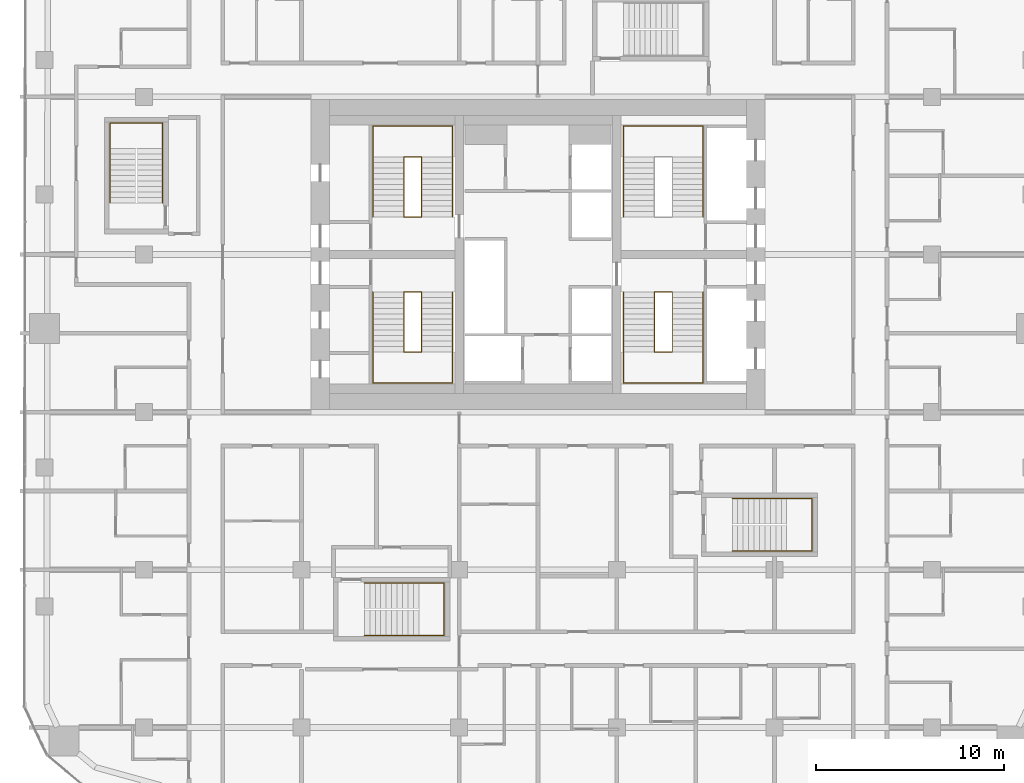
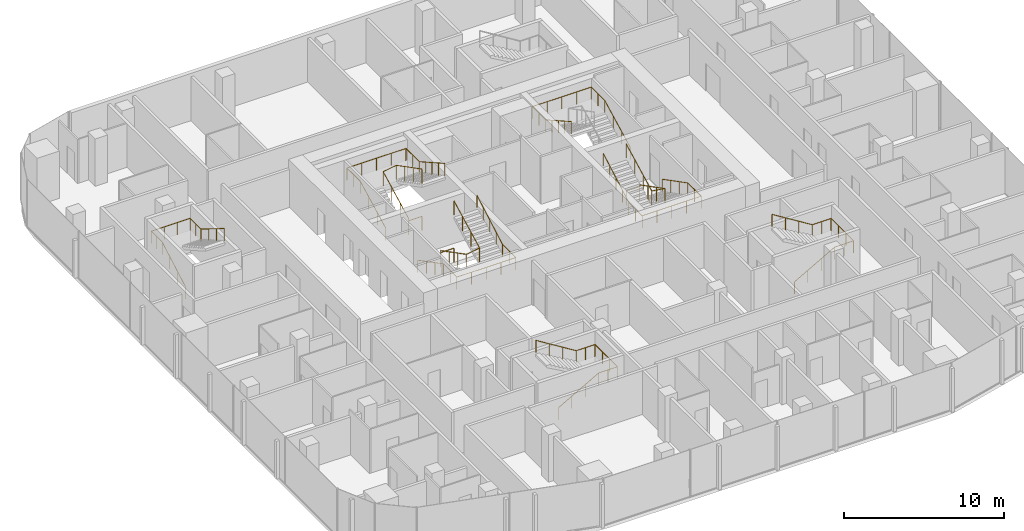
# One storey, part 22 of 23: 10 railings.
"""IFC4 building model written with IfcOpenShell, lengths in metres."""

from ifc_helpers import new_model, si_unit, direction, frame, origin, origin_2d, place, context, subcontext, project, spatial, circle, extrude, material, type_object, element, save


model = new_model("IFC4")

# Units and contexts
model_context = context("Model", 3, precision=1e-05, world=origin(), true_north=direction((0.0, 1.0)))
body_context = subcontext(model_context, "Body", "Model", "MODEL_VIEW")
ifc_project = project(units=[si_unit("LENGTHUNIT", "METRE"), si_unit("AREAUNIT", "SQUARE_METRE"), si_unit("VOLUMEUNIT", "CUBIC_METRE"), si_unit("PLANEANGLEUNIT", "RADIAN"), si_unit("MASSUNIT", "GRAM", prefix="KILO")], contexts=[model_context])

# Site, building, storey
site_placement = place(None, origin())
site = spatial("IfcSite", under=ifc_project, at=site_placement, CompositionType="ELEMENT")
building_placement = place(site_placement, origin())
building = spatial("IfcBuilding", under=site, at=building_placement, Name="Marenta Gate Hotel Tower", CompositionType="ELEMENT")
storey_placement = place(building_placement, frame((0.0, 0.0, 140.89990234375)))
storey = spatial("IfcBuildingStorey", under=building, at=storey_placement, Name="L32", CompositionType="ELEMENT", Elevation=140.89990234375)

# Railings
ifc_material_1 = material(Name="Stainless steel", Category="steel")
railing_type_1 = type_object("IfcRailingType", Name="Core stair handrail 950", PredefinedType="HANDRAIL", material=ifc_material_1)
railing_1_placement = place(storey_placement, frame((-8.800048828125, 6.39990234375, 0.150146484375)))
element("IfcRailing", 1, at=railing_1_placement, inside=storey, type_object=railing_type_1, Name="HR-950 L32-KR-ST1-1", PredefinedType="HANDRAIL", context=body_context, shape_type="SweptSolid", body=[
    extrude(circle(Radius=0.02392578125, at=origin_2d()), frame((0.0, 0.0, 0.92578125), z_axis=(0.0, -0.888225295554, 0.459408123936), x_axis=(1.0, 0.0, 0.0)), (0.0, 0.0, 1.0), 3.59130859375),
    extrude(circle(Radius=0.02392578125, at=origin_2d()), frame((0.0, -3.18994140625, 2.57568359375), z_axis=(0.0, -1.0, 0.0), x_axis=(1.0, 0.0, 0.0)), (0.0, 0.0, 1.0), 1.659912109375),
    extrude(circle(Radius=0.02392578125, at=origin_2d()), frame((0.0, -4.849853515625, 2.57568359375), z_axis=(1.0, 0.0, 0.0), x_axis=(0.0, 1.0, 0.0)), (0.0, 0.0, 1.0), 4.25),
    extrude(circle(Radius=0.02392578125, at=origin_2d()), frame((4.25, -4.849853515625, 2.57568359375), z_axis=(0.0, 1.0, 0.0), x_axis=(-1.0, 0.0, 0.0)), (0.0, 0.0, 1.0), 1.659912109375),
    extrude(circle(Radius=0.02392578125, at=origin_2d()), frame((4.25, -3.18994140625, 2.57568359375), z_axis=(0.0, 0.87090897868, 0.491444351738), x_axis=(-1.0, 0.0, 0.0)), (0.0, 0.0, 1.0), 3.662841796875),
    extrude(circle(Radius=0.02099609375, at=origin_2d()), origin(), (0.0, 0.0, 1.0), 0.90185546875),
    extrude(circle(Radius=0.02099609375, at=origin_2d()), frame((0.0, -1.063232421875, 0.550048828125)), (0.0, 0.0, 1.0), 0.90185546875),
    extrude(circle(Radius=0.02099609375, at=origin_2d()), frame((0.0, -2.126708984375, 1.099853515625)), (0.0, 0.0, 1.0), 0.90185546875),
    extrude(circle(Radius=0.02099609375, at=origin_2d()), frame((0.0, -3.18994140625, 1.64990234375)), (0.0, 0.0, 1.0), 0.90185546875),
    extrude(circle(Radius=0.02099609375, at=origin_2d()), frame((0.0, -4.02001953125, 1.64990234375)), (0.0, 0.0, 1.0), 0.90185546875),
    extrude(circle(Radius=0.02099609375, at=origin_2d()), frame((0.0, -4.849853515625, 1.64990234375)), (0.0, 0.0, 1.0), 0.90185546875),
    extrude(circle(Radius=0.02099609375, at=origin_2d()), frame((1.0625, -4.849853515625, 1.64990234375)), (0.0, 0.0, 1.0), 0.90185546875),
    extrude(circle(Radius=0.02099609375, at=origin_2d()), frame((2.125, -4.849853515625, 1.64990234375)), (0.0, 0.0, 1.0), 0.90185546875),
    extrude(circle(Radius=0.02099609375, at=origin_2d()), frame((3.1875, -4.849853515625, 1.64990234375)), (0.0, 0.0, 1.0), 0.90185546875),
    extrude(circle(Radius=0.02099609375, at=origin_2d()), frame((4.25, -4.849853515625, 1.64990234375)), (0.0, 0.0, 1.0), 0.90185546875),
    extrude(circle(Radius=0.02099609375, at=origin_2d()), frame((4.25, -4.02001953125, 1.64990234375)), (0.0, 0.0, 1.0), 0.90185546875),
    extrude(circle(Radius=0.02099609375, at=origin_2d()), frame((4.25, -3.18994140625, 1.64990234375)), (0.0, 0.0, 1.0), 0.90185546875),
    extrude(circle(Radius=0.02099609375, at=origin_2d()), frame((4.25, -2.392578125, 2.099853515625)), (0.0, 0.0, 1.0), 0.90185546875),
    extrude(circle(Radius=0.02099609375, at=origin_2d()), frame((4.25, -1.594970703125, 2.5498046875)), (0.0, 0.0, 1.0), 0.90185546875),
    extrude(circle(Radius=0.02099609375, at=origin_2d()), frame((4.25, -0.79736328125, 3.0)), (0.0, 0.0, 1.0), 0.90185546875),
    extrude(circle(Radius=0.02099609375, at=origin_2d()), frame((4.25, 0.0, 3.449951171875)), (0.0, 0.0, 1.0), 0.90185546875),
])
railing_2_placement = place(storey_placement, frame((-8.800048828125, 10.39990234375, 0.150146484375)))
element("IfcRailing", 2, at=railing_2_placement, inside=storey, type_object=railing_type_1, Name="HR-950 L32-KR-ST2-1", PredefinedType="HANDRAIL", context=body_context, shape_type="SweptSolid", body=[
    extrude(circle(Radius=0.02392578125, at=origin_2d()), frame((0.0, 0.0, 0.92578125), z_axis=(0.0, 0.888239641807, 0.459380385653), x_axis=(-1.0, 0.0, 0.0)), (0.0, 0.0, 1.0), 3.591552734375),
    extrude(circle(Radius=0.02392578125, at=origin_2d()), frame((0.0, 3.190185546875, 2.57568359375), z_axis=(0.0, 1.0, 0.0), x_axis=(-1.0, 0.0, 0.0)), (0.0, 0.0, 1.0), 1.659912109375),
    extrude(circle(Radius=0.02392578125, at=origin_2d()), frame((0.0, 4.85009765625, 2.57568359375), z_axis=(1.0, 0.0, 0.0), x_axis=(0.0, 1.0, 0.0)), (0.0, 0.0, 1.0), 4.25),
    extrude(circle(Radius=0.02392578125, at=origin_2d()), frame((4.25, 4.85009765625, 2.57568359375), z_axis=(0.0, -1.0, 0.0), x_axis=(1.0, 0.0, 0.0)), (0.0, 0.0, 1.0), 1.659912109375),
    extrude(circle(Radius=0.02392578125, at=origin_2d()), frame((4.25, 3.190185546875, 2.57568359375), z_axis=(0.0, -0.870925075533, 0.491415824742), x_axis=(1.0, 0.0, 0.0)), (0.0, 0.0, 1.0), 3.6630859375),
    extrude(circle(Radius=0.02099609375, at=origin_2d()), origin(), (0.0, 0.0, 1.0), 0.90185546875),
    extrude(circle(Radius=0.02099609375, at=origin_2d()), frame((0.0, 1.0634765625, 0.550048828125)), (0.0, 0.0, 1.0), 0.90185546875),
    extrude(circle(Radius=0.02099609375, at=origin_2d()), frame((0.0, 2.126708984375, 1.099853515625)), (0.0, 0.0, 1.0), 0.90185546875),
    extrude(circle(Radius=0.02099609375, at=origin_2d()), frame((0.0, 3.190185546875, 1.64990234375)), (0.0, 0.0, 1.0), 0.90185546875),
    extrude(circle(Radius=0.02099609375, at=origin_2d()), frame((0.0, 4.02001953125, 1.64990234375)), (0.0, 0.0, 1.0), 0.90185546875),
    extrude(circle(Radius=0.02099609375, at=origin_2d()), frame((0.0, 4.85009765625, 1.64990234375)), (0.0, 0.0, 1.0), 0.90185546875),
    extrude(circle(Radius=0.02099609375, at=origin_2d()), frame((1.0625, 4.85009765625, 1.64990234375)), (0.0, 0.0, 1.0), 0.90185546875),
    extrude(circle(Radius=0.02099609375, at=origin_2d()), frame((2.125, 4.85009765625, 1.64990234375)), (0.0, 0.0, 1.0), 0.90185546875),
    extrude(circle(Radius=0.02099609375, at=origin_2d()), frame((3.1875, 4.85009765625, 1.64990234375)), (0.0, 0.0, 1.0), 0.90185546875),
    extrude(circle(Radius=0.02099609375, at=origin_2d()), frame((4.25, 4.85009765625, 1.64990234375)), (0.0, 0.0, 1.0), 0.90185546875),
    extrude(circle(Radius=0.02099609375, at=origin_2d()), frame((4.25, 4.02001953125, 1.64990234375)), (0.0, 0.0, 1.0), 0.90185546875),
    extrude(circle(Radius=0.02099609375, at=origin_2d()), frame((4.25, 3.190185546875, 1.64990234375)), (0.0, 0.0, 1.0), 0.90185546875),
    extrude(circle(Radius=0.02099609375, at=origin_2d()), frame((4.25, 2.392578125, 2.099853515625)), (0.0, 0.0, 1.0), 0.90185546875),
    extrude(circle(Radius=0.02099609375, at=origin_2d()), frame((4.25, 1.59521484375, 2.5498046875)), (0.0, 0.0, 1.0), 0.90185546875),
    extrude(circle(Radius=0.02099609375, at=origin_2d()), frame((4.25, 0.797607421875, 3.0)), (0.0, 0.0, 1.0), 0.90185546875),
    extrude(circle(Radius=0.02099609375, at=origin_2d()), frame((4.25, 0.0, 3.449951171875)), (0.0, 0.0, 1.0), 0.90185546875),
])
railing_3_placement = place(storey_placement, frame((8.800048828125, 6.39990234375, 0.150146484375)))
element("IfcRailing", 3, at=railing_3_placement, inside=storey, type_object=railing_type_1, Name="HR-950 L32-KR-ST3-1", PredefinedType="HANDRAIL", context=body_context, shape_type="SweptSolid", body=[
    extrude(circle(Radius=0.02392578125, at=origin_2d()), frame((0.0, 0.0, 0.92578125), z_axis=(0.0, -0.888225295554, 0.459408123936), x_axis=(1.0, 0.0, 0.0)), (0.0, 0.0, 1.0), 3.59130859375),
    extrude(circle(Radius=0.02392578125, at=origin_2d()), frame((0.0, -3.18994140625, 2.57568359375), z_axis=(0.0, -1.0, 0.0), x_axis=(1.0, 0.0, 0.0)), (0.0, 0.0, 1.0), 1.659912109375),
    extrude(circle(Radius=0.02392578125, at=origin_2d()), frame((0.0, -4.849853515625, 2.57568359375), z_axis=(-1.0, 0.0, 0.0), x_axis=(0.0, -1.0, 0.0)), (0.0, 0.0, 1.0), 4.25),
    extrude(circle(Radius=0.02392578125, at=origin_2d()), frame((-4.25, -4.849853515625, 2.57568359375), z_axis=(0.0, 1.0, 0.0), x_axis=(-1.0, 0.0, 0.0)), (0.0, 0.0, 1.0), 1.659912109375),
    extrude(circle(Radius=0.02392578125, at=origin_2d()), frame((-4.25, -3.18994140625, 2.57568359375), z_axis=(0.0, 0.87090897868, 0.491444351738), x_axis=(-1.0, 0.0, 0.0)), (0.0, 0.0, 1.0), 3.662841796875),
    extrude(circle(Radius=0.02099609375, at=origin_2d()), origin(), (0.0, 0.0, 1.0), 0.90185546875),
    extrude(circle(Radius=0.02099609375, at=origin_2d()), frame((0.0, -1.063232421875, 0.550048828125)), (0.0, 0.0, 1.0), 0.90185546875),
    extrude(circle(Radius=0.02099609375, at=origin_2d()), frame((0.0, -2.126708984375, 1.099853515625)), (0.0, 0.0, 1.0), 0.90185546875),
    extrude(circle(Radius=0.02099609375, at=origin_2d()), frame((0.0, -3.18994140625, 1.64990234375)), (0.0, 0.0, 1.0), 0.90185546875),
    extrude(circle(Radius=0.02099609375, at=origin_2d()), frame((0.0, -4.02001953125, 1.64990234375)), (0.0, 0.0, 1.0), 0.90185546875),
    extrude(circle(Radius=0.02099609375, at=origin_2d()), frame((0.0, -4.849853515625, 1.64990234375)), (0.0, 0.0, 1.0), 0.90185546875),
    extrude(circle(Radius=0.02099609375, at=origin_2d()), frame((-1.0625, -4.849853515625, 1.64990234375)), (0.0, 0.0, 1.0), 0.90185546875),
    extrude(circle(Radius=0.02099609375, at=origin_2d()), frame((-2.125, -4.849853515625, 1.64990234375)), (0.0, 0.0, 1.0), 0.90185546875),
    extrude(circle(Radius=0.02099609375, at=origin_2d()), frame((-3.1875, -4.849853515625, 1.64990234375)), (0.0, 0.0, 1.0), 0.90185546875),
    extrude(circle(Radius=0.02099609375, at=origin_2d()), frame((-4.25, -4.849853515625, 1.64990234375)), (0.0, 0.0, 1.0), 0.90185546875),
    extrude(circle(Radius=0.02099609375, at=origin_2d()), frame((-4.25, -4.02001953125, 1.64990234375)), (0.0, 0.0, 1.0), 0.90185546875),
    extrude(circle(Radius=0.02099609375, at=origin_2d()), frame((-4.25, -3.18994140625, 1.64990234375)), (0.0, 0.0, 1.0), 0.90185546875),
    extrude(circle(Radius=0.02099609375, at=origin_2d()), frame((-4.25, -2.392578125, 2.099853515625)), (0.0, 0.0, 1.0), 0.90185546875),
    extrude(circle(Radius=0.02099609375, at=origin_2d()), frame((-4.25, -1.594970703125, 2.5498046875)), (0.0, 0.0, 1.0), 0.90185546875),
    extrude(circle(Radius=0.02099609375, at=origin_2d()), frame((-4.25, -0.79736328125, 3.0)), (0.0, 0.0, 1.0), 0.90185546875),
    extrude(circle(Radius=0.02099609375, at=origin_2d()), frame((-4.25, 0.0, 3.449951171875)), (0.0, 0.0, 1.0), 0.90185546875),
])
railing_4_placement = place(storey_placement, frame((8.800048828125, 10.39990234375, 0.150146484375)))
element("IfcRailing", 4, at=railing_4_placement, inside=storey, type_object=railing_type_1, Name="HR-950 L32-KR-ST4-1", PredefinedType="HANDRAIL", context=body_context, shape_type="SweptSolid", body=[
    extrude(circle(Radius=0.02392578125, at=origin_2d()), frame((0.0, 0.0, 0.92578125), z_axis=(0.0, 0.888239641807, 0.459380385653), x_axis=(-1.0, 0.0, 0.0)), (0.0, 0.0, 1.0), 3.591552734375),
    extrude(circle(Radius=0.02392578125, at=origin_2d()), frame((0.0, 3.190185546875, 2.57568359375), z_axis=(0.0, 1.0, 0.0), x_axis=(-1.0, 0.0, 0.0)), (0.0, 0.0, 1.0), 1.659912109375),
    extrude(circle(Radius=0.02392578125, at=origin_2d()), frame((0.0, 4.85009765625, 2.57568359375), z_axis=(-1.0, 0.0, 0.0), x_axis=(0.0, -1.0, 0.0)), (0.0, 0.0, 1.0), 4.25),
    extrude(circle(Radius=0.02392578125, at=origin_2d()), frame((-4.25, 4.85009765625, 2.57568359375), z_axis=(0.0, -1.0, 0.0), x_axis=(1.0, 0.0, 0.0)), (0.0, 0.0, 1.0), 1.659912109375),
    extrude(circle(Radius=0.02392578125, at=origin_2d()), frame((-4.25, 3.190185546875, 2.57568359375), z_axis=(0.0, -0.870925075533, 0.491415824742), x_axis=(1.0, 0.0, 0.0)), (0.0, 0.0, 1.0), 3.6630859375),
    extrude(circle(Radius=0.02099609375, at=origin_2d()), origin(), (0.0, 0.0, 1.0), 0.90185546875),
    extrude(circle(Radius=0.02099609375, at=origin_2d()), frame((0.0, 1.0634765625, 0.550048828125)), (0.0, 0.0, 1.0), 0.90185546875),
    extrude(circle(Radius=0.02099609375, at=origin_2d()), frame((0.0, 2.126708984375, 1.099853515625)), (0.0, 0.0, 1.0), 0.90185546875),
    extrude(circle(Radius=0.02099609375, at=origin_2d()), frame((0.0, 3.190185546875, 1.64990234375)), (0.0, 0.0, 1.0), 0.90185546875),
    extrude(circle(Radius=0.02099609375, at=origin_2d()), frame((0.0, 4.02001953125, 1.64990234375)), (0.0, 0.0, 1.0), 0.90185546875),
    extrude(circle(Radius=0.02099609375, at=origin_2d()), frame((0.0, 4.85009765625, 1.64990234375)), (0.0, 0.0, 1.0), 0.90185546875),
    extrude(circle(Radius=0.02099609375, at=origin_2d()), frame((-1.0625, 4.85009765625, 1.64990234375)), (0.0, 0.0, 1.0), 0.90185546875),
    extrude(circle(Radius=0.02099609375, at=origin_2d()), frame((-2.125, 4.85009765625, 1.64990234375)), (0.0, 0.0, 1.0), 0.90185546875),
    extrude(circle(Radius=0.02099609375, at=origin_2d()), frame((-3.1875, 4.85009765625, 1.64990234375)), (0.0, 0.0, 1.0), 0.90185546875),
    extrude(circle(Radius=0.02099609375, at=origin_2d()), frame((-4.25, 4.85009765625, 1.64990234375)), (0.0, 0.0, 1.0), 0.90185546875),
    extrude(circle(Radius=0.02099609375, at=origin_2d()), frame((-4.25, 4.02001953125, 1.64990234375)), (0.0, 0.0, 1.0), 0.90185546875),
    extrude(circle(Radius=0.02099609375, at=origin_2d()), frame((-4.25, 3.190185546875, 1.64990234375)), (0.0, 0.0, 1.0), 0.90185546875),
    extrude(circle(Radius=0.02099609375, at=origin_2d()), frame((-4.25, 2.392578125, 2.099853515625)), (0.0, 0.0, 1.0), 0.90185546875),
    extrude(circle(Radius=0.02099609375, at=origin_2d()), frame((-4.25, 1.59521484375, 2.5498046875)), (0.0, 0.0, 1.0), 0.90185546875),
    extrude(circle(Radius=0.02099609375, at=origin_2d()), frame((-4.25, 0.797607421875, 3.0)), (0.0, 0.0, 1.0), 0.90185546875),
    extrude(circle(Radius=0.02099609375, at=origin_2d()), frame((-4.25, 0.0, 3.449951171875)), (0.0, 0.0, 1.0), 0.90185546875),
])
railing_5_placement = place(storey_placement, frame((-22.800048828125, 11.14990234375, 0.163818359375)))
element("IfcRailing", 5, at=railing_5_placement, inside=storey, type_object=railing_type_1, Name="HR-950 L32-RS-Z1-3-KR-1", PredefinedType="HANDRAIL", context=body_context, shape_type="SweptSolid", body=[
    extrude(circle(Radius=0.02392578125, at=origin_2d()), frame((0.0, 0.0, 0.92578125), z_axis=(0.0, 0.870946286338, 0.49137823142), x_axis=(-1.0, 0.0, 0.0)), (0.0, 0.0, 1.0), 3.329833984375),
    extrude(circle(Radius=0.02392578125, at=origin_2d()), frame((0.0, 2.900146484375, 2.56201171875), z_axis=(0.0, 1.0, 0.0), x_axis=(-1.0, 0.0, 0.0)), (0.0, 0.0, 1.0), 1.349853515625),
    extrude(circle(Radius=0.02392578125, at=origin_2d()), frame((0.0, 4.25, 2.56201171875), z_axis=(1.0, 0.0, 0.0), x_axis=(0.0, 1.0, 0.0)), (0.0, 0.0, 1.0), 2.800048828125),
    extrude(circle(Radius=0.02392578125, at=origin_2d()), frame((2.800048828125, 4.25, 2.56201171875), z_axis=(0.0, -1.0, 0.0), x_axis=(1.0, 0.0, 0.0)), (0.0, 0.0, 1.0), 1.349853515625),
    extrude(circle(Radius=0.02392578125, at=origin_2d()), frame((2.800048828125, 2.900146484375, 2.56201171875), z_axis=(0.0, -0.849645691689, 0.527353959494), x_axis=(1.0, 0.0, 0.0)), (0.0, 0.0, 1.0), 3.413330078125),
    extrude(circle(Radius=0.02099609375, at=origin_2d()), origin(), (0.0, 0.0, 1.0), 0.90185546875),
    extrude(circle(Radius=0.02099609375, at=origin_2d()), frame((0.0, 0.966796875, 0.54541015625)), (0.0, 0.0, 1.0), 0.90185546875),
    extrude(circle(Radius=0.02099609375, at=origin_2d()), frame((0.0, 1.933349609375, 1.0908203125)), (0.0, 0.0, 1.0), 0.90185546875),
    extrude(circle(Radius=0.02099609375, at=origin_2d()), frame((0.0, 2.900146484375, 1.63623046875)), (0.0, 0.0, 1.0), 0.90185546875),
    extrude(circle(Radius=0.02099609375, at=origin_2d()), frame((0.0, 3.5751953125, 1.63623046875)), (0.0, 0.0, 1.0), 0.90185546875),
    extrude(circle(Radius=0.02099609375, at=origin_2d()), frame((0.0, 4.25, 1.63623046875)), (0.0, 0.0, 1.0), 0.90185546875),
    extrude(circle(Radius=0.02099609375, at=origin_2d()), frame((0.933349609375, 4.25, 1.63623046875)), (0.0, 0.0, 1.0), 0.90185546875),
    extrude(circle(Radius=0.02099609375, at=origin_2d()), frame((1.86669921875, 4.25, 1.63623046875)), (0.0, 0.0, 1.0), 0.90185546875),
    extrude(circle(Radius=0.02099609375, at=origin_2d()), frame((2.800048828125, 4.25, 1.63623046875)), (0.0, 0.0, 1.0), 0.90185546875),
    extrude(circle(Radius=0.02099609375, at=origin_2d()), frame((2.800048828125, 3.5751953125, 1.63623046875)), (0.0, 0.0, 1.0), 0.90185546875),
    extrude(circle(Radius=0.02099609375, at=origin_2d()), frame((2.800048828125, 2.900146484375, 1.63623046875)), (0.0, 0.0, 1.0), 0.90185546875),
    extrude(circle(Radius=0.02099609375, at=origin_2d()), frame((2.800048828125, 1.933349609375, 2.236328125)), (0.0, 0.0, 1.0), 0.90185546875),
    extrude(circle(Radius=0.02099609375, at=origin_2d()), frame((2.800048828125, 0.966796875, 2.836181640625)), (0.0, 0.0, 1.0), 0.90185546875),
    extrude(circle(Radius=0.02099609375, at=origin_2d()), frame((2.800048828125, 0.0, 3.436279296875)), (0.0, 0.0, 1.0), 0.90185546875),
])
railing_6_placement = place(storey_placement, frame((-9.25, -11.89990234375, 0.163818359375)))
element("IfcRailing", 6, at=railing_6_placement, inside=storey, type_object=railing_type_1, Name="HR-950 L32-RS-Z2-1-KR-1", PredefinedType="HANDRAIL", context=body_context, shape_type="SweptSolid", body=[
    extrude(circle(Radius=0.02392578125, at=origin_2d()), frame((0.0, 0.0, 0.92578125), z_axis=(0.870928581787, 0.0, 0.491409610636), x_axis=(0.0, 1.0, 0.0)), (0.0, 0.0, 1.0), 3.32958984375),
    extrude(circle(Radius=0.02392578125, at=origin_2d()), frame((2.89990234375, 0.0, 2.56201171875), z_axis=(1.0, 0.0, 0.0), x_axis=(0.0, 1.0, 0.0)), (0.0, 0.0, 1.0), 1.35009765625),
    extrude(circle(Radius=0.02392578125, at=origin_2d()), frame((4.25, 0.0, 2.56201171875), z_axis=(0.0, 1.0, 0.0), x_axis=(-1.0, 0.0, 0.0)), (0.0, 0.0, 1.0), 2.7998046875),
    extrude(circle(Radius=0.02392578125, at=origin_2d()), frame((4.25, 2.7998046875, 2.56201171875), z_axis=(-1.0, 0.0, 0.0), x_axis=(0.0, -1.0, 0.0)), (0.0, 0.0, 1.0), 1.35009765625),
    extrude(circle(Radius=0.02392578125, at=origin_2d()), frame((2.89990234375, 2.7998046875, 2.56201171875), z_axis=(-0.849625798611, 0.0, 0.527386008853), x_axis=(0.0, -1.0, 0.0)), (0.0, 0.0, 1.0), 3.4130859375),
    extrude(circle(Radius=0.02099609375, at=origin_2d()), origin(), (0.0, 0.0, 1.0), 0.90185546875),
    extrude(circle(Radius=0.02099609375, at=origin_2d()), frame((0.966552734375, 0.0, 0.54541015625)), (0.0, 0.0, 1.0), 0.90185546875),
    extrude(circle(Radius=0.02099609375, at=origin_2d()), frame((1.933349609375, 0.0, 1.0908203125)), (0.0, 0.0, 1.0), 0.90185546875),
    extrude(circle(Radius=0.02099609375, at=origin_2d()), frame((2.89990234375, 0.0, 1.63623046875)), (0.0, 0.0, 1.0), 0.90185546875),
    extrude(circle(Radius=0.02099609375, at=origin_2d()), frame((3.574951171875, 0.0, 1.63623046875)), (0.0, 0.0, 1.0), 0.90185546875),
    extrude(circle(Radius=0.02099609375, at=origin_2d()), frame((4.25, 0.0, 1.63623046875)), (0.0, 0.0, 1.0), 0.90185546875),
    extrude(circle(Radius=0.02099609375, at=origin_2d()), frame((4.25, 0.933349609375, 1.63623046875)), (0.0, 0.0, 1.0), 0.90185546875),
    extrude(circle(Radius=0.02099609375, at=origin_2d()), frame((4.25, 1.866455078125, 1.63623046875)), (0.0, 0.0, 1.0), 0.90185546875),
    extrude(circle(Radius=0.02099609375, at=origin_2d()), frame((4.25, 2.7998046875, 1.63623046875)), (0.0, 0.0, 1.0), 0.90185546875),
    extrude(circle(Radius=0.02099609375, at=origin_2d()), frame((3.574951171875, 2.7998046875, 1.63623046875)), (0.0, 0.0, 1.0), 0.90185546875),
    extrude(circle(Radius=0.02099609375, at=origin_2d()), frame((2.89990234375, 2.7998046875, 1.63623046875)), (0.0, 0.0, 1.0), 0.90185546875),
    extrude(circle(Radius=0.02099609375, at=origin_2d()), frame((1.933349609375, 2.7998046875, 2.236328125)), (0.0, 0.0, 1.0), 0.90185546875),
    extrude(circle(Radius=0.02099609375, at=origin_2d()), frame((0.966552734375, 2.7998046875, 2.836181640625)), (0.0, 0.0, 1.0), 0.90185546875),
    extrude(circle(Radius=0.02099609375, at=origin_2d()), frame((0.0, 2.7998046875, 3.436279296875)), (0.0, 0.0, 1.0), 0.90185546875),
])
railing_7_placement = place(storey_placement, frame((10.35009765625, -7.39990234375, 0.163818359375)))
element("IfcRailing", 7, at=railing_7_placement, inside=storey, type_object=railing_type_1, Name="HR-950 L32-RS-Z2-2-KR-1", PredefinedType="HANDRAIL", context=body_context, shape_type="SweptSolid", body=[
    extrude(circle(Radius=0.02392578125, at=origin_2d()), frame((0.0, 0.0, 0.92578125), z_axis=(0.870928581787, 0.0, 0.491409610636), x_axis=(0.0, 1.0, 0.0)), (0.0, 0.0, 1.0), 3.32958984375),
    extrude(circle(Radius=0.02392578125, at=origin_2d()), frame((2.89990234375, 0.0, 2.56201171875), z_axis=(1.0, 0.0, 0.0), x_axis=(0.0, 1.0, 0.0)), (0.0, 0.0, 1.0), 1.35009765625),
    extrude(circle(Radius=0.02392578125, at=origin_2d()), frame((4.25, 0.0, 2.56201171875), z_axis=(0.0, 1.0, 0.0), x_axis=(-1.0, 0.0, 0.0)), (0.0, 0.0, 1.0), 2.7998046875),
    extrude(circle(Radius=0.02392578125, at=origin_2d()), frame((4.25, 2.7998046875, 2.56201171875), z_axis=(-1.0, 0.0, 0.0), x_axis=(0.0, -1.0, 0.0)), (0.0, 0.0, 1.0), 1.35009765625),
    extrude(circle(Radius=0.02392578125, at=origin_2d()), frame((2.89990234375, 2.7998046875, 2.56201171875), z_axis=(-0.849625798611, 0.0, 0.527386008853), x_axis=(0.0, -1.0, 0.0)), (0.0, 0.0, 1.0), 3.4130859375),
    extrude(circle(Radius=0.02099609375, at=origin_2d()), origin(), (0.0, 0.0, 1.0), 0.90185546875),
    extrude(circle(Radius=0.02099609375, at=origin_2d()), frame((0.966552734375, 0.0, 0.54541015625)), (0.0, 0.0, 1.0), 0.90185546875),
    extrude(circle(Radius=0.02099609375, at=origin_2d()), frame((1.933349609375, 0.0, 1.0908203125)), (0.0, 0.0, 1.0), 0.90185546875),
    extrude(circle(Radius=0.02099609375, at=origin_2d()), frame((2.89990234375, 0.0, 1.63623046875)), (0.0, 0.0, 1.0), 0.90185546875),
    extrude(circle(Radius=0.02099609375, at=origin_2d()), frame((3.574951171875, 0.0, 1.63623046875)), (0.0, 0.0, 1.0), 0.90185546875),
    extrude(circle(Radius=0.02099609375, at=origin_2d()), frame((4.25, 0.0, 1.63623046875)), (0.0, 0.0, 1.0), 0.90185546875),
    extrude(circle(Radius=0.02099609375, at=origin_2d()), frame((4.25, 0.933349609375, 1.63623046875)), (0.0, 0.0, 1.0), 0.90185546875),
    extrude(circle(Radius=0.02099609375, at=origin_2d()), frame((4.25, 1.866455078125, 1.63623046875)), (0.0, 0.0, 1.0), 0.90185546875),
    extrude(circle(Radius=0.02099609375, at=origin_2d()), frame((4.25, 2.7998046875, 1.63623046875)), (0.0, 0.0, 1.0), 0.90185546875),
    extrude(circle(Radius=0.02099609375, at=origin_2d()), frame((3.574951171875, 2.7998046875, 1.63623046875)), (0.0, 0.0, 1.0), 0.90185546875),
    extrude(circle(Radius=0.02099609375, at=origin_2d()), frame((2.89990234375, 2.7998046875, 1.63623046875)), (0.0, 0.0, 1.0), 0.90185546875),
    extrude(circle(Radius=0.02099609375, at=origin_2d()), frame((1.933349609375, 2.7998046875, 2.236328125)), (0.0, 0.0, 1.0), 0.90185546875),
    extrude(circle(Radius=0.02099609375, at=origin_2d()), frame((0.966552734375, 2.7998046875, 2.836181640625)), (0.0, 0.0, 1.0), 0.90185546875),
    extrude(circle(Radius=0.02099609375, at=origin_2d()), frame((0.0, 2.7998046875, 3.436279296875)), (0.0, 0.0, 1.0), 0.90185546875),
])
ifc_material_2 = material(Name="Stainless steel", Category="steel")
railing_type_2 = type_object("IfcRailingType", Name="Core stair well guard 1100", PredefinedType="GUARDRAIL", material=ifc_material_2)
railing_8_placement = place(storey_placement, frame((-6.199951171875, 6.39990234375, 0.0)))
element("IfcRailing", 8, at=railing_8_placement, inside=storey, type_object=railing_type_2, Name="GR-1100 L32-KR-ST1-2", PredefinedType="GUARDRAIL", context=body_context, shape_type="SweptSolid", body=[
    extrude(circle(Radius=0.02392578125, at=origin_2d()), frame((0.0, 0.0, 1.076171875), z_axis=(-1.0, 0.0, 0.0), x_axis=(0.0, -1.0, 0.0)), (0.0, 0.0, 1.0), 0.949951171875),
    extrude(circle(Radius=0.02392578125, at=origin_2d()), frame((-0.949951171875, 0.0, 1.076171875), z_axis=(0.0, 0.0, 1.0), x_axis=(1.0, 0.0, 0.0)), (0.0, 0.0, 1.0), 0.150146484375),
    extrude(circle(Radius=0.02392578125, at=origin_2d()), frame((-0.949951171875, 0.0, 1.22607421875), z_axis=(0.0, -0.888225295554, 0.459408123936), x_axis=(1.0, 0.0, 0.0)), (0.0, 0.0, 1.0), 3.59130859375),
    extrude(circle(Radius=0.02392578125, at=origin_2d()), frame((-0.949951171875, -3.18994140625, 2.8759765625), z_axis=(0.987738253826, 0.0, 0.156118999255), x_axis=(0.0, 1.0, 0.0)), (0.0, 0.0, 1.0), 0.961669921875),
    extrude(circle(Radius=0.02392578125, at=origin_2d()), frame((0.0, -3.18994140625, 3.0263671875), z_axis=(0.0, 0.888225295554, 0.459408123936), x_axis=(-1.0, 0.0, 0.0)), (0.0, 0.0, 1.0), 3.59130859375),
    extrude(circle(Radius=0.02099609375, at=origin_2d()), origin(), (0.0, 0.0, 1.0), 1.052001953125),
    extrude(circle(Radius=0.02099609375, at=origin_2d()), frame((-0.949951171875, 0.0, 0.0)), (0.0, 0.0, 1.0), 1.052001953125),
    extrude(circle(Radius=0.02099609375, at=origin_2d()), frame((-0.949951171875, 0.0, 0.150146484375)), (0.0, 0.0, 1.0), 1.052001953125),
    extrude(circle(Radius=0.02099609375, at=origin_2d()), frame((-0.949951171875, -1.063232421875, 0.7001953125)), (0.0, 0.0, 1.0), 1.052001953125),
    extrude(circle(Radius=0.02099609375, at=origin_2d()), frame((-0.949951171875, -2.126708984375, 1.25)), (0.0, 0.0, 1.0), 1.052001953125),
    extrude(circle(Radius=0.02099609375, at=origin_2d()), frame((-0.949951171875, -3.18994140625, 1.800048828125)), (0.0, 0.0, 1.0), 1.052001953125),
    extrude(circle(Radius=0.02099609375, at=origin_2d()), frame((0.0, -3.18994140625, 1.9501953125)), (0.0, 0.0, 1.0), 1.052001953125),
    extrude(circle(Radius=0.02099609375, at=origin_2d()), frame((0.0, -2.126708984375, 2.500244140625)), (0.0, 0.0, 1.0), 1.052001953125),
    extrude(circle(Radius=0.02099609375, at=origin_2d()), frame((0.0, -1.063232421875, 3.050048828125)), (0.0, 0.0, 1.0), 1.052001953125),
    extrude(circle(Radius=0.02099609375, at=origin_2d()), frame((0.0, 0.0, 3.60009765625)), (0.0, 0.0, 1.0), 1.052001953125),
])
railing_9_placement = place(storey_placement, frame((-6.199951171875, 10.39990234375, 0.0)))
element("IfcRailing", 9, at=railing_9_placement, inside=storey, type_object=railing_type_2, Name="GR-1100 L32-KR-ST2-2", PredefinedType="GUARDRAIL", context=body_context, shape_type="SweptSolid", body=[
    extrude(circle(Radius=0.02392578125, at=origin_2d()), frame((0.0, 0.0, 1.076171875), z_axis=(-1.0, 0.0, 0.0), x_axis=(0.0, -1.0, 0.0)), (0.0, 0.0, 1.0), 0.949951171875),
    extrude(circle(Radius=0.02392578125, at=origin_2d()), frame((-0.949951171875, 0.0, 1.076171875), z_axis=(0.0, 0.0, 1.0), x_axis=(1.0, 0.0, 0.0)), (0.0, 0.0, 1.0), 0.150146484375),
    extrude(circle(Radius=0.02392578125, at=origin_2d()), frame((-0.949951171875, 0.0, 1.22607421875), z_axis=(0.0, 0.888239641807, 0.459380385653), x_axis=(-1.0, 0.0, 0.0)), (0.0, 0.0, 1.0), 3.591552734375),
    extrude(circle(Radius=0.02392578125, at=origin_2d()), frame((-0.949951171875, 3.190185546875, 2.8759765625), z_axis=(0.987738253826, 0.0, 0.156118999255), x_axis=(0.0, 1.0, 0.0)), (0.0, 0.0, 1.0), 0.961669921875),
    extrude(circle(Radius=0.02392578125, at=origin_2d()), frame((0.0, 3.190185546875, 3.0263671875), z_axis=(0.0, -0.888239641807, 0.459380385653), x_axis=(1.0, 0.0, 0.0)), (0.0, 0.0, 1.0), 3.591552734375),
    extrude(circle(Radius=0.02099609375, at=origin_2d()), origin(), (0.0, 0.0, 1.0), 1.052001953125),
    extrude(circle(Radius=0.02099609375, at=origin_2d()), frame((-0.949951171875, 0.0, 0.0)), (0.0, 0.0, 1.0), 1.052001953125),
    extrude(circle(Radius=0.02099609375, at=origin_2d()), frame((-0.949951171875, 0.0, 0.150146484375)), (0.0, 0.0, 1.0), 1.052001953125),
    extrude(circle(Radius=0.02099609375, at=origin_2d()), frame((-0.949951171875, 1.0634765625, 0.7001953125)), (0.0, 0.0, 1.0), 1.052001953125),
    extrude(circle(Radius=0.02099609375, at=origin_2d()), frame((-0.949951171875, 2.126708984375, 1.25)), (0.0, 0.0, 1.0), 1.052001953125),
    extrude(circle(Radius=0.02099609375, at=origin_2d()), frame((-0.949951171875, 3.190185546875, 1.800048828125)), (0.0, 0.0, 1.0), 1.052001953125),
    extrude(circle(Radius=0.02099609375, at=origin_2d()), frame((0.0, 3.190185546875, 1.9501953125)), (0.0, 0.0, 1.0), 1.052001953125),
    extrude(circle(Radius=0.02099609375, at=origin_2d()), frame((0.0, 2.126708984375, 2.500244140625)), (0.0, 0.0, 1.0), 1.052001953125),
    extrude(circle(Radius=0.02099609375, at=origin_2d()), frame((0.0, 1.0634765625, 3.050048828125)), (0.0, 0.0, 1.0), 1.052001953125),
    extrude(circle(Radius=0.02099609375, at=origin_2d()), frame((0.0, 0.0, 3.60009765625)), (0.0, 0.0, 1.0), 1.052001953125),
])
railing_10_placement = place(storey_placement, frame((6.199951171875, 6.39990234375, 0.0)))
element("IfcRailing", 10, at=railing_10_placement, inside=storey, type_object=railing_type_2, Name="GR-1100 L32-KR-ST3-2", PredefinedType="GUARDRAIL", context=body_context, shape_type="SweptSolid", body=[
    extrude(circle(Radius=0.02392578125, at=origin_2d()), frame((0.0, 0.0, 1.076171875), z_axis=(1.0, 0.0, 0.0), x_axis=(0.0, 1.0, 0.0)), (0.0, 0.0, 1.0), 0.949951171875),
    extrude(circle(Radius=0.02392578125, at=origin_2d()), frame((0.949951171875, 0.0, 1.076171875), z_axis=(0.0, 0.0, 1.0), x_axis=(1.0, 0.0, 0.0)), (0.0, 0.0, 1.0), 0.150146484375),
    extrude(circle(Radius=0.02392578125, at=origin_2d()), frame((0.949951171875, 0.0, 1.22607421875), z_axis=(0.0, -0.888225295554, 0.459408123936), x_axis=(1.0, 0.0, 0.0)), (0.0, 0.0, 1.0), 3.59130859375),
    extrude(circle(Radius=0.02392578125, at=origin_2d()), frame((0.949951171875, -3.18994140625, 2.8759765625), z_axis=(-0.987738253826, 0.0, 0.156118999255), x_axis=(0.0, -1.0, 0.0)), (0.0, 0.0, 1.0), 0.961669921875),
    extrude(circle(Radius=0.02392578125, at=origin_2d()), frame((0.0, -3.18994140625, 3.0263671875), z_axis=(0.0, 0.888225295554, 0.459408123936), x_axis=(-1.0, 0.0, 0.0)), (0.0, 0.0, 1.0), 3.59130859375),
    extrude(circle(Radius=0.02099609375, at=origin_2d()), origin(), (0.0, 0.0, 1.0), 1.052001953125),
    extrude(circle(Radius=0.02099609375, at=origin_2d()), frame((0.949951171875, 0.0, 0.0)), (0.0, 0.0, 1.0), 1.052001953125),
    extrude(circle(Radius=0.02099609375, at=origin_2d()), frame((0.949951171875, 0.0, 0.150146484375)), (0.0, 0.0, 1.0), 1.052001953125),
    extrude(circle(Radius=0.02099609375, at=origin_2d()), frame((0.949951171875, -1.063232421875, 0.7001953125)), (0.0, 0.0, 1.0), 1.052001953125),
    extrude(circle(Radius=0.02099609375, at=origin_2d()), frame((0.949951171875, -2.126708984375, 1.25)), (0.0, 0.0, 1.0), 1.052001953125),
    extrude(circle(Radius=0.02099609375, at=origin_2d()), frame((0.949951171875, -3.18994140625, 1.800048828125)), (0.0, 0.0, 1.0), 1.052001953125),
    extrude(circle(Radius=0.02099609375, at=origin_2d()), frame((0.0, -3.18994140625, 1.9501953125)), (0.0, 0.0, 1.0), 1.052001953125),
    extrude(circle(Radius=0.02099609375, at=origin_2d()), frame((0.0, -2.126708984375, 2.500244140625)), (0.0, 0.0, 1.0), 1.052001953125),
    extrude(circle(Radius=0.02099609375, at=origin_2d()), frame((0.0, -1.063232421875, 3.050048828125)), (0.0, 0.0, 1.0), 1.052001953125),
    extrude(circle(Radius=0.02099609375, at=origin_2d()), frame((0.0, 0.0, 3.60009765625)), (0.0, 0.0, 1.0), 1.052001953125),
])

save(model, "model.ifc")
